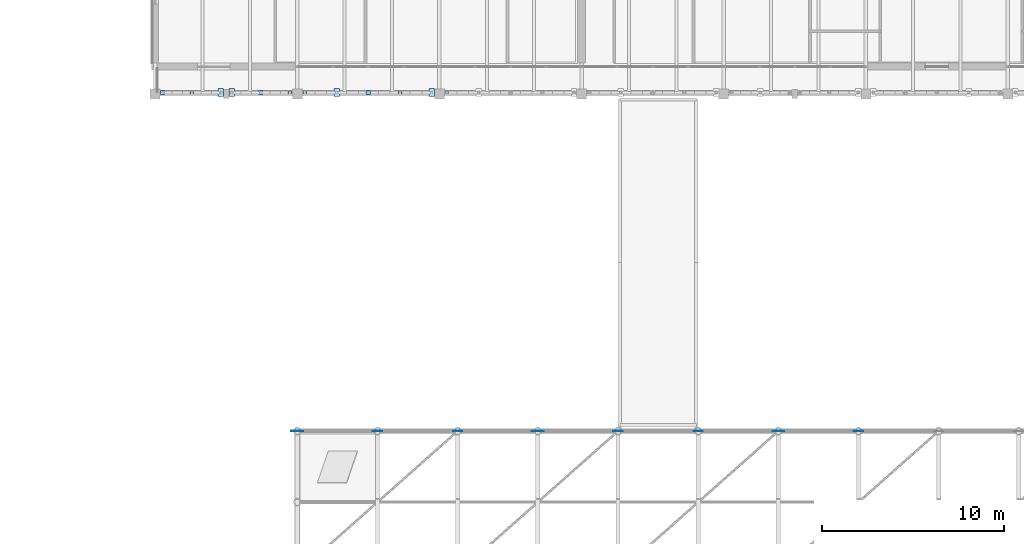
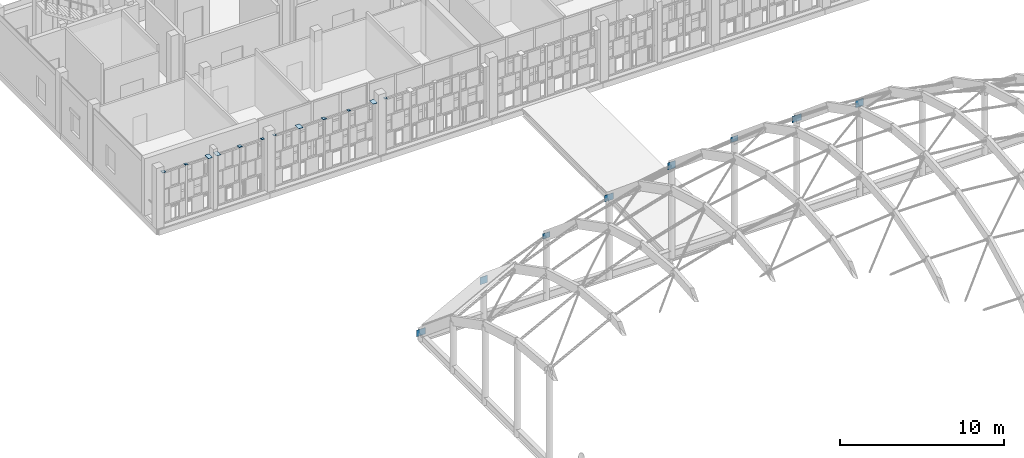
# One storey, part 81 of 119: 20 plates.
"""IFC4 building model written with IfcOpenShell, lengths in metres."""

from ifc_helpers import new_model, si_unit, direction, frame, origin, origin_2d, place, context, subcontext, project, spatial, rectangle, extrude, material, layer, layer_set, type_object, element, save


model = new_model("IFC4")

# Units and contexts
model_context = context("Model", 3, precision=1e-05, world=origin(), true_north=direction((0.0, 1.0)))
body_context = subcontext(model_context, "Body", "Model", "MODEL_VIEW")
ifc_project = project(units=[si_unit("LENGTHUNIT", "METRE"), si_unit("AREAUNIT", "SQUARE_METRE"), si_unit("VOLUMEUNIT", "CUBIC_METRE"), si_unit("PLANEANGLEUNIT", "RADIAN"), si_unit("MASSUNIT", "GRAM", prefix="KILO")], contexts=[model_context])

# Site, building, storey
site_placement = place(None, origin())
site = spatial("IfcSite", under=ifc_project, at=site_placement, CompositionType="ELEMENT")
building_placement = place(site_placement, origin())
building = spatial("IfcBuilding", under=site, at=building_placement, Name="Celorna Specialist Clinic", CompositionType="ELEMENT")
storey_placement = place(building_placement, frame((0.0, 0.0, 9.60009765625)))
storey = spatial("IfcBuildingStorey", under=building, at=storey_placement, Name="L02", CompositionType="ELEMENT", Elevation=9.60009765625)

# Plates
ifc_material = material(Name="Steel S355", Category="steel")
ifc_layer_1 = layer(ifc_material, 0.011962890625, Name="Steel S355")
ifc_layer_set_1 = layer_set([ifc_layer_1], Name="Steel S355")
plate_type_1 = type_object("IfcPlateType", Name="EP-06", PredefinedType="SHEET", material=ifc_layer_set_1)
for number, where, z_axis, x_axis, name in (
    (1, (48.8125, 96.580078125, 3.83984375), (0.0, 0.0, 1.0), (1.0, 0.0, 0.0), "Screen post cap plate EP-06 #996"),
    (2, (54.18505859375, 96.580078125, 3.83984375), (0.0, 0.0, 1.0), (1.0, 0.0, 0.0), "Screen post cap plate EP-06 #1008"),
    (3, (55.014892578125, 96.580078125, 3.83984375), (0.0, 0.0, 1.0), (1.0, 0.0, 0.0), "Screen post cap plate EP-06 #1017"),
    (4, (60.242431640625, 96.580078125, 3.83984375), (0.0, 0.0, 1.0), (1.0, 0.0, 0.0), "Screen post cap plate EP-06 #1020"),
    (5, (62.81494140625, 96.580078125, 3.83984375), (0.0, 0.0, 1.0), (1.0, 0.0, 0.0), "Screen post cap plate EP-06 #1038"),
):
    element("IfcPlate", number, at=place(storey_placement, frame(where, z_axis=z_axis, x_axis=x_axis)), inside=storey, type_object=plate_type_1, Name=name, PredefinedType="SHEET", context=body_context, shape_type="SweptSolid", body=[
        extrude(rectangle(XDim=0.179931640625, YDim=0.179931640625, at=origin_2d()), origin(), (0.0, 0.0, 1.0), 0.011962890625),
    ])
ifc_layer_2 = layer(ifc_material, 0.01611328125, Name="Steel S355")
ifc_layer_set_2 = layer_set([ifc_layer_2], Name="Steel S355")
plate_type_2 = type_object("IfcPlateType", Name="EP-07", PredefinedType="SHEET", material=ifc_layer_set_2)
for number, where, z_axis, x_axis, name in (
    (6, (50.409912109375, 96.580078125, 3.83984375), (0.0, 0.0, 1.0), (1.0, 0.0, 0.0), "Screen post cap plate EP-07 #997"),
    (7, (50.989990234375, 96.580078125, 3.83984375), (0.0, 0.0, 1.0), (1.0, 0.0, 0.0), "Screen post cap plate EP-07 #1006"),
    (8, (56.757568359375, 96.580078125, 3.83984375), (0.0, 0.0, 1.0), (1.0, 0.0, 0.0), "Screen post cap plate EP-07 #1018"),
    (9, (61.985107421875, 96.580078125, 3.83984375), (0.0, 0.0, 1.0), (1.0, 0.0, 0.0), "Screen post cap plate EP-07 #1021"),
):
    element("IfcPlate", number, at=place(storey_placement, frame(where, z_axis=z_axis, x_axis=x_axis)), inside=storey, type_object=plate_type_2, Name=name, PredefinedType="SHEET", context=body_context, shape_type="SweptSolid", body=[
        extrude(rectangle(XDim=0.300048828125, YDim=0.43994140625, at=origin_2d()), origin(), (0.0, 0.0, 1.0), 0.01611328125),
    ])
ifc_layer_3 = layer(ifc_material, 0.013916015625, Name="Steel S355")
ifc_layer_set_3 = layer_set([ifc_layer_3], Name="Steel S355")
plate_type_3 = type_object("IfcPlateType", Name="EP-08", PredefinedType="SHEET", material=ifc_layer_set_3)
for number, where, z_axis, x_axis, name in (
    (10, (47.215087890625, 96.580078125, 3.83984375), (0.0, 0.0, 1.0), (1.0, 0.0, 0.0), "Screen post cap plate EP-08 #995"),
    (11, (52.58740234375, 96.580078125, 3.83984375), (0.0, 0.0, 1.0), (1.0, 0.0, 0.0), "Screen post cap plate EP-08 #1007"),
    (12, (58.5, 96.580078125, 3.83984375), (0.0, 0.0, 1.0), (1.0, 0.0, 0.0), "Screen post cap plate EP-08 #1019"),
):
    element("IfcPlate", number, at=place(storey_placement, frame(where, z_axis=z_axis, x_axis=x_axis)), inside=storey, type_object=plate_type_3, Name=name, PredefinedType="SHEET", context=body_context, shape_type="SweptSolid", body=[
        extrude(rectangle(XDim=0.239990234375, YDim=0.239990234375, at=origin_2d()), origin(), (0.0, 0.0, 1.0), 0.013916015625),
    ])
ifc_layer_4 = layer(ifc_material, 0.02197265625, Name="Steel S355")
ifc_layer_set_4 = layer_set([ifc_layer_4], Name="Steel S355")
plate_type_4 = type_object("IfcPlateType", Name="GP-03", PredefinedType="USERDEFINED", material=ifc_layer_set_4)
for number, where, z_axis, x_axis, name in (
    (13, (54.60009765625, 78.0, 0.35986328125), (0.0, 0.0, 1.0), (1.0, 0.0, 0.0), "GSH-V1 gridshell steel node shoe GN-01"),
    (14, (67.800048828125, 78.0, 5.751953125), (0.0, 0.0, 1.0), (1.0, 0.0, 0.0), "GSH-V1 gridshell steel node shoe GN-04"),
    (15, (81.0, 78.0, 7.00341796875), (0.0, 0.0, 1.0), (1.0, 0.0, 0.0), "GSH-V1 gridshell steel node shoe GN-07"),
):
    element("IfcPlate", number, at=place(storey_placement, frame(where, z_axis=z_axis, x_axis=x_axis)), inside=storey, type_object=plate_type_4, Name=name, ObjectType="GUSSET PLATE", PredefinedType="USERDEFINED", context=body_context, shape_type="SweptSolid", body=[
        extrude(rectangle(XDim=0.639892578125, YDim=0.02197265625, at=origin_2d()), origin(), (0.0, 0.0, 1.0), 0.47998046875),
    ])
ifc_layer_5 = layer(ifc_material, 0.02001953125, Name="Steel S355")
ifc_layer_set_5 = layer_set([ifc_layer_5], Name="Steel S355")
plate_type_5 = type_object("IfcPlateType", Name="GP-04", PredefinedType="USERDEFINED", material=ifc_layer_set_5)
for number, where, z_axis, x_axis, name in (
    (16, (59.0, 78.0, 2.659423828125), (0.0, 0.0, 1.0), (1.0, 0.0, 0.0), "GSH-V1 gridshell steel node shoe GN-02"),
    (17, (72.199951171875, 78.0, 6.56005859375), (0.0, 0.0, 1.0), (1.0, 0.0, 0.0), "GSH-V1 gridshell steel node shoe GN-05"),
    (18, (85.39990234375, 78.0, 6.56005859375), (0.0, 0.0, 1.0), (1.0, 0.0, 0.0), "GSH-V1 gridshell steel node shoe GN-08"),
):
    element("IfcPlate", number, at=place(storey_placement, frame(where, z_axis=z_axis, x_axis=x_axis)), inside=storey, type_object=plate_type_5, Name=name, ObjectType="GUSSET PLATE", PredefinedType="USERDEFINED", context=body_context, shape_type="SweptSolid", body=[
        extrude(rectangle(XDim=0.5400390625, YDim=0.02001953125, at=origin_2d()), origin(), (0.0, 0.0, 1.0), 0.5400390625),
    ])
ifc_layer_6 = layer(ifc_material, 0.02001953125, Name="Steel S355")
ifc_layer_set_6 = layer_set([ifc_layer_6], Name="Steel S355")
plate_type_6 = type_object("IfcPlateType", Name="GP-08", PredefinedType="USERDEFINED", material=ifc_layer_set_6)
for number, where, z_axis, x_axis, name in (
    (19, (63.39990234375, 78.0, 4.50537109375), (0.0, 0.0, 1.0), (1.0, 0.0, 0.0), "GSH-V1 gridshell steel node shoe GN-03"),
    (20, (76.60009765625, 78.0, 7.04345703125), (0.0, 0.0, 1.0), (1.0, 0.0, 0.0), "GSH-V1 gridshell steel node shoe GN-06"),
):
    element("IfcPlate", number, at=place(storey_placement, frame(where, z_axis=z_axis, x_axis=x_axis)), inside=storey, type_object=plate_type_6, Name=name, ObjectType="GUSSET PLATE", PredefinedType="USERDEFINED", context=body_context, shape_type="SweptSolid", body=[
        extrude(rectangle(XDim=0.5, YDim=0.02001953125, at=origin_2d()), origin(), (0.0, 0.0, 1.0), 0.39990234375),
    ])

save(model, "model.ifc")
